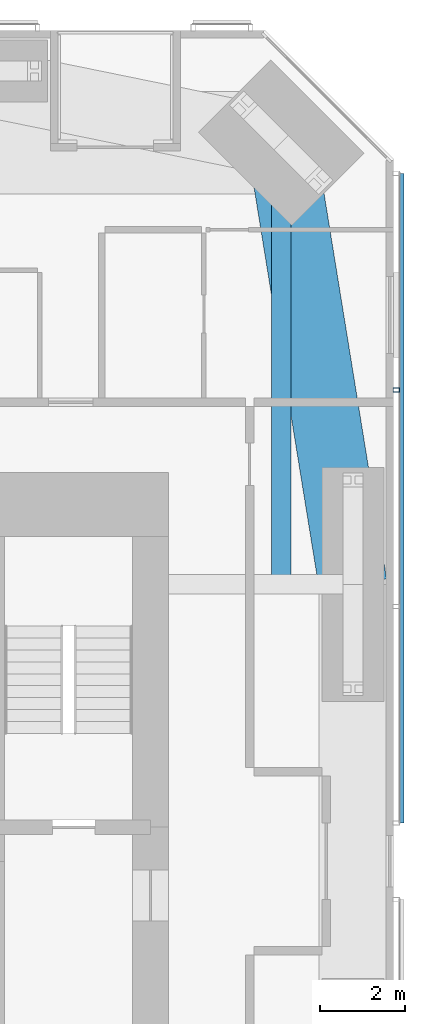
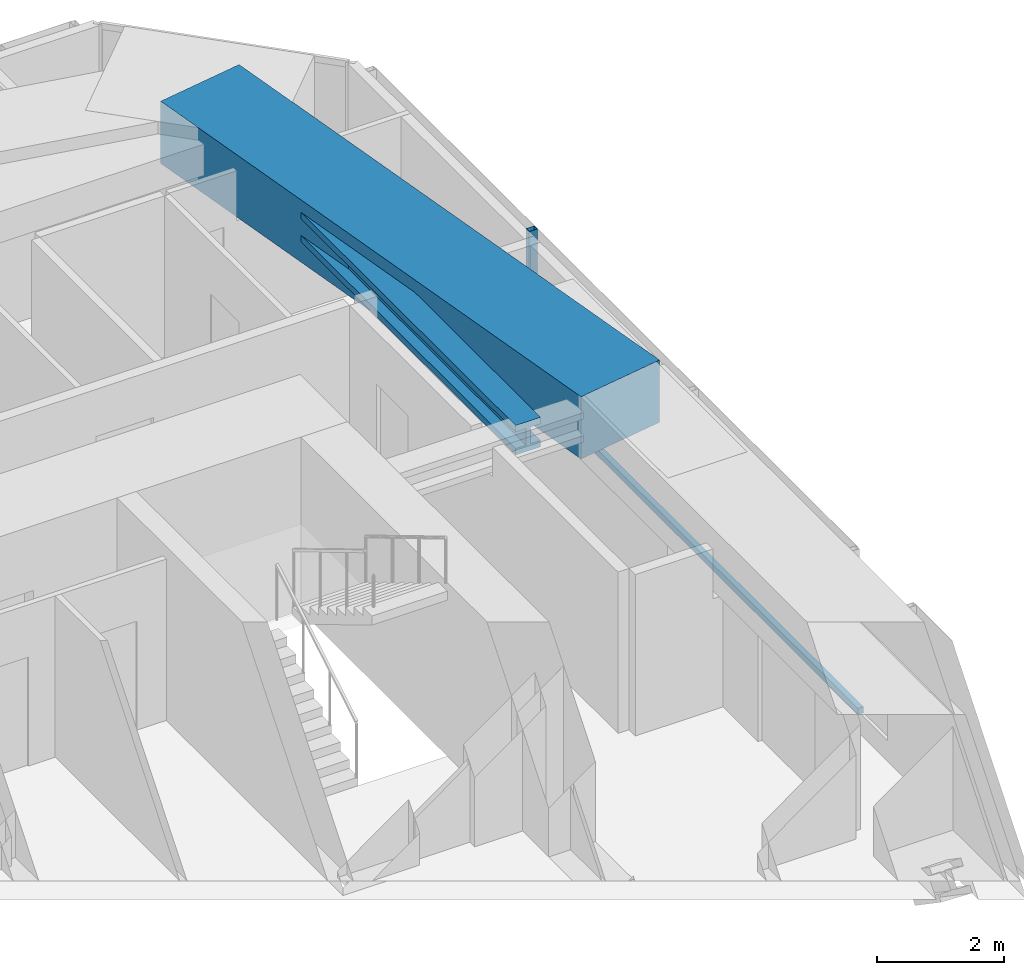
# One storey, part 10 of 24: 2 beams, 2 members, 1 element without a shape of its own.
"""IFC4 building model written with IfcOpenShell, lengths in metres."""

from ifc_helpers import new_model, si_unit, direction, frame, origin, origin_2d, place, context, subcontext, project, spatial, rectangle, hollow_rectangle, i_section, extrude, material, material_profile, profile_set, type_object, element, aggregate, save


model = new_model("IFC4")

# Units and contexts
model_context = context("Model", 3, precision=1e-05, world=origin(), true_north=direction((0.0, 1.0)))
body_context = subcontext(model_context, "Body", "Model", "MODEL_VIEW")
ifc_project = project(units=[si_unit("LENGTHUNIT", "METRE"), si_unit("AREAUNIT", "SQUARE_METRE"), si_unit("VOLUMEUNIT", "CUBIC_METRE"), si_unit("PLANEANGLEUNIT", "RADIAN"), si_unit("MASSUNIT", "GRAM", prefix="KILO")], contexts=[model_context])

# Site, building, storey
site_placement = place(None, origin())
site = spatial("IfcSite", under=ifc_project, at=site_placement, CompositionType="ELEMENT")
building_placement = place(site_placement, origin())
building = spatial("IfcBuilding", under=site, at=building_placement, Name="Jalousie Tower", CompositionType="ELEMENT")
storey_placement = place(building_placement, frame((0.0, 0.0, 91.449951171875)))
storey = spatial("IfcBuildingStorey", under=building, at=storey_placement, Name="L24", CompositionType="ELEMENT", Elevation=91.449951171875)

# Beams
ifc_material_1 = material(Name="Steel ASTM A992 Grade 50", Category="steel")
ifc_material_profile_1 = material_profile(ifc_material_1, i_section(OverallWidth=0.45458984375, OverallDepth=0.569091796875, WebThickness=0.077880859375, FlangeThickness=0.124755859375, at=origin_2d()), Name="W14X730")
ifc_profile_set_1 = profile_set([ifc_material_profile_1], Name="Steel ASTM A992 Grade 50")
beam_type_1 = type_object("IfcBeamType", Name="LEAN COLLECTOR W14X730", PredefinedType="BEAM", material=ifc_profile_set_1)
beam_1_placement = place(storey_placement, frame((46.86865234375, 35.36865234375, 2.825439453125), z_axis=(0.0, -1.0, 0.0), x_axis=(1.0, 0.0, 0.0)))
element("IfcBeam", 1, at=beam_1_placement, inside=storey, type_object=beam_type_1, Name="Lean collector under L25", PredefinedType="BEAM", context=body_context, shape_type="SweptSolid", body=[
    extrude(i_section(OverallWidth=0.45458984375, OverallDepth=0.569091796875, WebThickness=0.077880859375, FlangeThickness=0.124755859375, at=origin_2d()), origin(), (0.0, 0.0, 1.0), 10.36865234375),
])
ifc_material_2 = material(Name="Concrete f'c 40 MPa", Category="concrete")
ifc_material_profile_2 = material_profile(ifc_material_2, rectangle(XDim=1.60009765625, YDim=1.199951171875, at=origin_2d()), Name="RC 1600x1200")
ifc_profile_set_2 = profile_set([ifc_material_profile_2], Name="Concrete f'c 40 MPa")
beam_type_2 = type_object("IfcBeamType", Name="RC BEAM 1600x1200", PredefinedType="BEAM", material=ifc_profile_set_2)
beam_2_placement = place(storey_placement, frame((48.550048828125, 25.0, 2.75), z_axis=(-0.160070546476, 0.987105577003, 0.0), x_axis=(-0.987105577003, -0.160070546476, 0.0)))
element("IfcBeam", 2, at=beam_2_placement, inside=storey, type_object=beam_type_2, Name="Edge band beam 07-08 under L25", PredefinedType="BEAM", context=body_context, shape_type="SweptSolid", body=[
    extrude(rectangle(XDim=1.60009765625, YDim=1.199951171875, at=origin_2d()), origin(), (0.0, 0.0, 1.0), 10.504150390625),
])

# Curtain wall, members
ifc_material_3 = material(Name="Perforated aluminium sheet", Category="aluminium")
curtain_wall_type = type_object("IfcCurtainWallType", Name="SOLAR SCREEN SS-1", PredefinedType="USERDEFINED", material=ifc_material_3)
curtain_wall_placement = place(storey_placement, origin())
curtain_wall = element("IfcCurtainWall", 3, at=curtain_wall_placement, inside=storey, type_object=curtain_wall_type, Name="Solar screen L24", ObjectType="SOLAR SCREEN SS-1", PredefinedType="USERDEFINED")
ifc_material_4 = material(Name="Steel ASTM A500 Grade C", Category="steel")
ifc_material_profile_3 = material_profile(ifc_material_4, hollow_rectangle(XDim=0.1015625, YDim=0.15234375, WallThickness=0.00634765625, at=origin_2d()), Name="HSS6X4X1/4")
ifc_profile_set_3 = profile_set([ifc_material_profile_3], Name="Steel ASTM A500 Grade C")
member_type_1 = type_object("IfcMemberType", Name="SOLAR SCREEN SS-1 MULLION", PredefinedType="MULLION", material=ifc_profile_set_3)
member_1_placement = place(storey_placement, frame((49.5712890625, 29.56591796875, -0.119873046875), z_axis=(0.0, 0.0, 1.0), x_axis=(0.0, 1.0, 0.0)))
member_1 = element("IfcMember", 4, at=member_1_placement, type_object=member_type_1, Name="SS1 post 3", PredefinedType="MULLION", context=body_context, shape_type="SweptSolid", body=[
    extrude(hollow_rectangle(XDim=0.1015625, YDim=0.15234375, WallThickness=0.00634765625, at=origin_2d()), origin(), (0.0, 0.0, 1.0), 3.22998046875),
])
ifc_material_5 = material(Name="Extruded aluminium screen rail", Category="aluminium")
ifc_material_profile_4 = material_profile(ifc_material_5, rectangle(XDim=0.1015625, YDim=0.1201171875, at=origin_2d()), Name="RAIL 102x120")
ifc_profile_set_4 = profile_set([ifc_material_profile_4], Name="Extruded aluminium screen rail")
member_type_2 = type_object("IfcMemberType", Name="SOLAR SCREEN SS-1 TRANSOM", PredefinedType="USERDEFINED", material=ifc_profile_set_4)
member_2_placement = place(storey_placement, frame((49.6982421875, 19.39990234375, -0.06005859375), z_axis=(0.0, 1.0, 0.0), x_axis=(-1.0, 0.0, 0.0)))
member_2 = element("IfcMember", 5, at=member_2_placement, type_object=member_type_2, Name="SS1 rail", ObjectType="TRANSOM", PredefinedType="USERDEFINED", context=body_context, shape_type="SweptSolid", body=[
    extrude(rectangle(XDim=0.1015625, YDim=0.1201171875, at=origin_2d()), origin(), (0.0, 0.0, 1.0), 15.248779296875),
])
aggregate(curtain_wall, [member_1, member_2])

save(model, "model.ifc")
